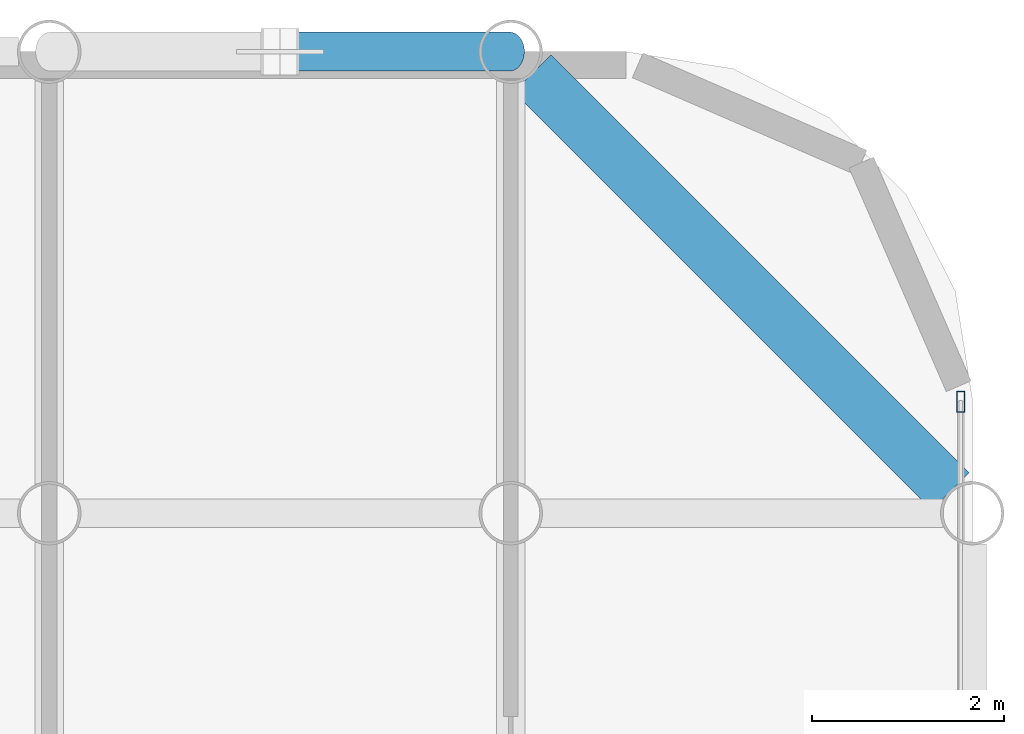
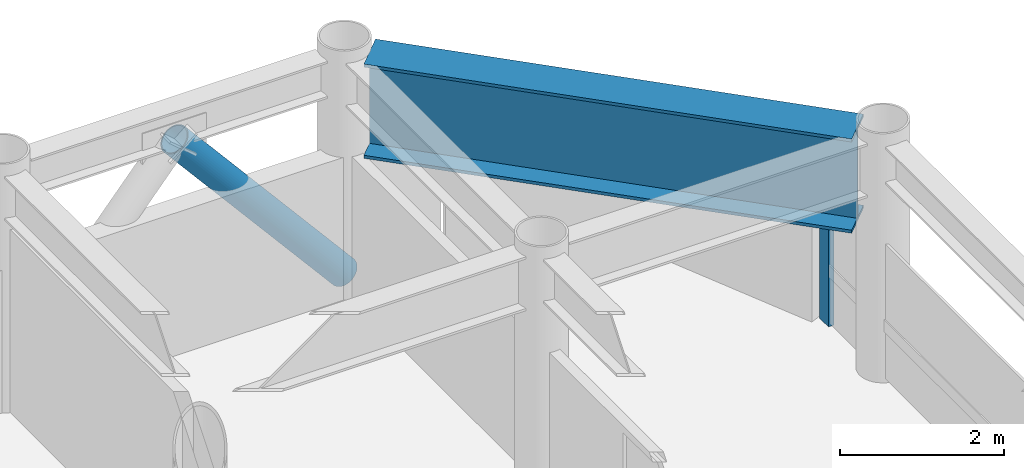
# One storey, part 15 of 22: 2 members, 1 beam, 1 element without a shape of its own.
"""IFC4 building model written with IfcOpenShell, lengths in metres."""

from ifc_helpers import new_model, si_unit, direction, frame, origin, origin_2d, place, context, subcontext, project, spatial, hollow_rectangle, hollow_circle, i_section, extrude, material, layer, layer_set, material_profile, profile_set, type_object, element, aggregate, save


model = new_model("IFC4")

# Units and contexts
model_context = context("Model", 3, precision=1e-05, world=origin(), true_north=direction((0.0, 1.0)))
body_context = subcontext(model_context, "Body", "Model", "MODEL_VIEW")
ifc_project = project(units=[si_unit("LENGTHUNIT", "METRE"), si_unit("AREAUNIT", "SQUARE_METRE"), si_unit("VOLUMEUNIT", "CUBIC_METRE"), si_unit("PLANEANGLEUNIT", "RADIAN"), si_unit("MASSUNIT", "GRAM", prefix="KILO")], contexts=[model_context])

# Site, building, storey
site_placement = place(None, origin())
site = spatial("IfcSite", under=ifc_project, at=site_placement, CompositionType="ELEMENT")
building_placement = place(site_placement, origin())
building = spatial("IfcBuilding", under=site, at=building_placement, Name="Kallvorn Hotel Tower", CompositionType="ELEMENT")
storey_placement = place(building_placement, frame((0.0, 0.0, 102.60009765625)))
storey = spatial("IfcBuildingStorey", under=building, at=storey_placement, Name="L24", CompositionType="ELEMENT", Elevation=102.60009765625)

# Beam
ifc_material_1 = material(Name="Structural steel S355JR", Category="steel")
ifc_material_profile_1 = material_profile(ifc_material_1, i_section(OverallWidth=0.550048828125, OverallDepth=1.39990234375, WebThickness=0.02490234375, FlangeThickness=0.044921875, at=origin_2d()), Name="PG 1400x550x25x45")
ifc_profile_set_1 = profile_set([ifc_material_profile_1], Name="Structural steel S355JR")
beam_type = type_object("IfcBeamType", Name="BM_PG_1400", PredefinedType="BEAM", material=ifc_profile_set_1)
beam_placement = place(storey_placement, frame((33.373779296875, 19.42626953125, 2.81982421875), z_axis=(-0.707106781187, 0.707106781187, 0.0), x_axis=(-0.707106781187, -0.707106781187, 0.0)))
element("IfcBeam", 1, at=beam_placement, inside=storey, type_object=beam_type, Name="L25 Rounded Corner Tie Beam 191", PredefinedType="BEAM", context=body_context, shape_type="SweptSolid", body=[
    extrude(i_section(OverallWidth=0.550048828125, OverallDepth=1.39990234375, WebThickness=0.02490234375, FlangeThickness=0.044921875, at=origin_2d()), origin(), (0.0, 0.0, 1.0), 6.148193359375),
])

# Curtain wall, member
ifc_material_2 = material(Name="Thermally broken black-anodised aluminium AA 6063-T6", Category="aluminium")
ifc_layer = layer(ifc_material_2, 0.199951171875)
ifc_layer_set = layer_set([ifc_layer], Name="CW_SYS_3_HOTEL_LOW")
curtain_wall_type = type_object("IfcCurtainWallType", Name="CW_SYS_3_HOTEL_LOW", PredefinedType="USERDEFINED", material=ifc_layer_set)
curtain_wall_placement = place(storey_placement, origin())
curtain_wall = element("IfcCurtainWall", 2, at=curtain_wall_placement, inside=storey, type_object=curtain_wall_type, Name="L24 Dark-Glass Curtain Wall CW-L24-EN", ObjectType="UNITISED CURTAIN WALL", PredefinedType="USERDEFINED")
ifc_material_3 = material(Name="Thermally broken black-anodised aluminium AA 6063-T6", Category="aluminium")
ifc_material_profile_2 = material_profile(ifc_material_3, hollow_rectangle(XDim=0.080078125, YDim=0.219970703125, WallThickness=0.0048828125, at=origin_2d()), Name="MUL 220x80")
ifc_profile_set_2 = profile_set([ifc_material_profile_2], Name="Thermally broken black-anodised aluminium AA 6063-T6")
member_type_1 = type_object("IfcMemberType", Name="CW_MULLION_220x80", PredefinedType="MULLION", material=ifc_profile_set_2)
member_1_placement = place(storey_placement, frame((33.47998046875, 20.360107421875, 0.02001953125), z_axis=(0.0, 0.0, 1.0), x_axis=(1.0, 0.0, 0.0)))
member_1 = element("IfcMember", 3, at=member_1_placement, type_object=member_type_1, Name="CW-L24-EN Mullion 01", PredefinedType="MULLION", context=body_context, shape_type="SweptSolid", body=[
    extrude(hollow_rectangle(XDim=0.080078125, YDim=0.219970703125, WallThickness=0.0048828125, at=origin_2d()), origin(), (0.0, 0.0, 1.0), 2.079833984375),
])
aggregate(curtain_wall, [member_1])

# Member
ifc_material_4 = material(Name="Structural steel S355J2H", Category="steel")
ifc_material_profile_3 = material_profile(ifc_material_4, hollow_circle(Radius=0.203125, WallThickness=0.01611328125, at=origin_2d()), Name="CHS 406.4x16")
ifc_profile_set_3 = profile_set([ifc_material_profile_3], Name="Structural steel S355J2H")
member_type_2 = type_object("IfcMemberType", Name="MBR_EXO_CHS406", PredefinedType="BRACE", material=ifc_profile_set_3)
member_2_placement = place(storey_placement, frame((28.787109375, 24.0, 0.1953125), z_axis=(-0.646833296797, 0.0, 0.762631422218), x_axis=(0.0, -1.0, 0.0)))
element("IfcMember", 4, at=member_2_placement, inside=storey, type_object=member_type_2, Name="L24 Exoskeleton K-Brace N2B", PredefinedType="BRACE", context=body_context, shape_type="SweptSolid", body=[
    extrude(hollow_circle(Radius=0.203125, WallThickness=0.01611328125, at=origin_2d()), origin(), (0.0, 0.0, 1.0), 3.670654296875),
])

save(model, "model.ifc")
